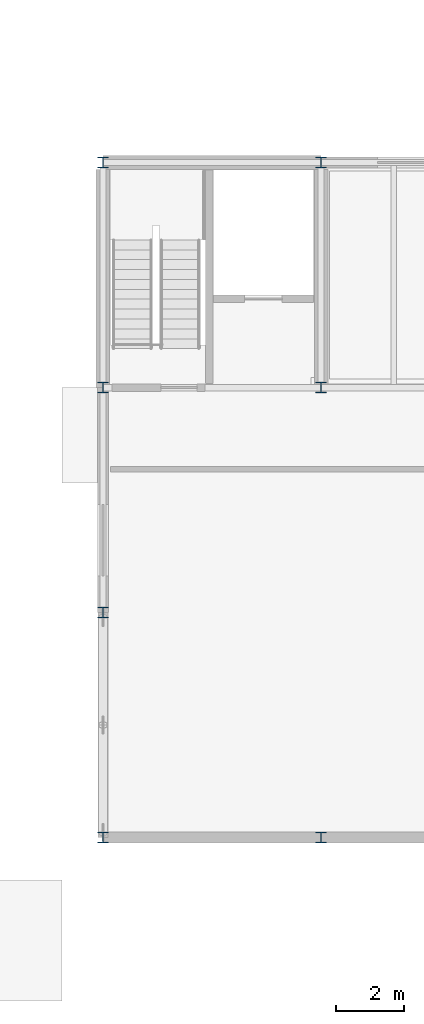
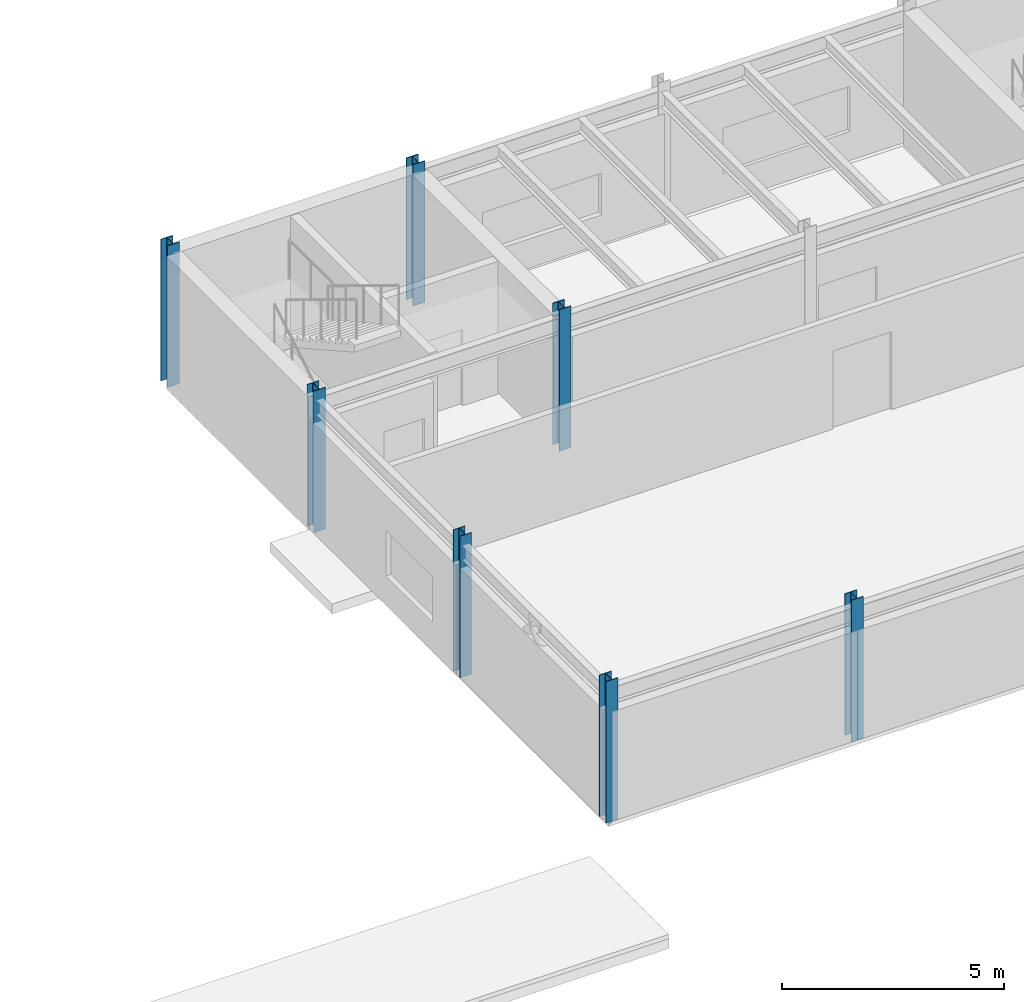
# One storey, part 1 of 49: 7 columns.
"""IFC4 building model written with IfcOpenShell, lengths in metres."""

from ifc_helpers import new_model, si_unit, direction, frame, origin, origin_2d, place, context, subcontext, project, spatial, i_section, extrude, material, material_profile, profile_set, type_object, element, save


model = new_model("IFC4")

# Units and contexts
model_context = context("Model", 3, precision=1e-05, world=origin(), true_north=direction((0.0, 1.0)))
body_context = subcontext(model_context, "Body", "Model", "MODEL_VIEW")
ifc_project = project(units=[si_unit("LENGTHUNIT", "METRE"), si_unit("AREAUNIT", "SQUARE_METRE"), si_unit("VOLUMEUNIT", "CUBIC_METRE"), si_unit("PLANEANGLEUNIT", "RADIAN"), si_unit("MASSUNIT", "GRAM", prefix="KILO")], contexts=[model_context])

# Site, building, storey
site_placement = place(None, origin())
site = spatial("IfcSite", under=ifc_project, at=site_placement, CompositionType="ELEMENT")
building_placement = place(site_placement, origin())
building = spatial("IfcBuilding", under=site, at=building_placement, Name="Trelmorton Wharf Fire Station", CompositionType="ELEMENT")
storey_placement = place(building_placement, frame((0.0, 0.0, 9.60009765625)))
storey = spatial("IfcBuildingStorey", under=building, at=storey_placement, Name="L02", CompositionType="ELEMENT", Elevation=9.60009765625)

# Columns
ifc_material = material(Name="Steel Grade 350", Category="steel")
ifc_material_profile = material_profile(ifc_material, i_section(OverallWidth=0.306884765625, OverallDepth=0.31494140625, WebThickness=0.011962890625, FlangeThickness=0.018798828125, FilletRadius=0.0166015625, at=origin_2d()), Name="310UC118")
ifc_profile_set = profile_set([ifc_material_profile], Name="Steel Grade 350")
column_type = type_object("IfcColumnType", Name="COL_310UC118", PredefinedType="COLUMN", material=ifc_profile_set)
for number, where, z_axis, x_axis, name in (
    (1, (58.0, 7.800048828125, 0.0), (0.0, 0.0, 1.0), (1.0, 0.0, 0.0), "COL-L02-0467"),
    (2, (58.0, 14.39990234375, 0.0), (0.0, 0.0, 1.0), (1.0, 0.0, 0.0), "COL-L02-0468"),
    (3, (58.0, 21.0, 0.0), (0.0, 0.0, 1.0), (1.0, 0.0, 0.0), "COL-L02-0469"),
    (4, (58.0, 27.60009765625, 0.0), (0.0, 0.0, 1.0), (1.0, 0.0, 0.0), "COL-L02-0470"),
    (5, (64.39990234375, 7.800048828125, 0.0), (0.0, 0.0, 1.0), (1.0, 0.0, 0.0), "COL-L02-0471"),
    (6, (64.39990234375, 21.0, 0.0), (0.0, 0.0, 1.0), (1.0, 0.0, 0.0), "COL-L02-0472"),
    (7, (64.39990234375, 27.60009765625, 0.0), (0.0, 0.0, 1.0), (1.0, 0.0, 0.0), "COL-L02-0473"),
):
    element("IfcColumn", number, at=place(storey_placement, frame(where, z_axis=z_axis, x_axis=x_axis)), inside=storey, type_object=column_type, Name=name, PredefinedType="COLUMN", context=body_context, shape_type="SweptSolid", body=[
        extrude(i_section(OverallWidth=0.306884765625, OverallDepth=0.31494140625, WebThickness=0.011962890625, FlangeThickness=0.018798828125, FilletRadius=0.0166015625, at=origin_2d()), origin(), (0.0, 0.0, 1.0), 3.89990234375),
    ])

save(model, "model.ifc")
